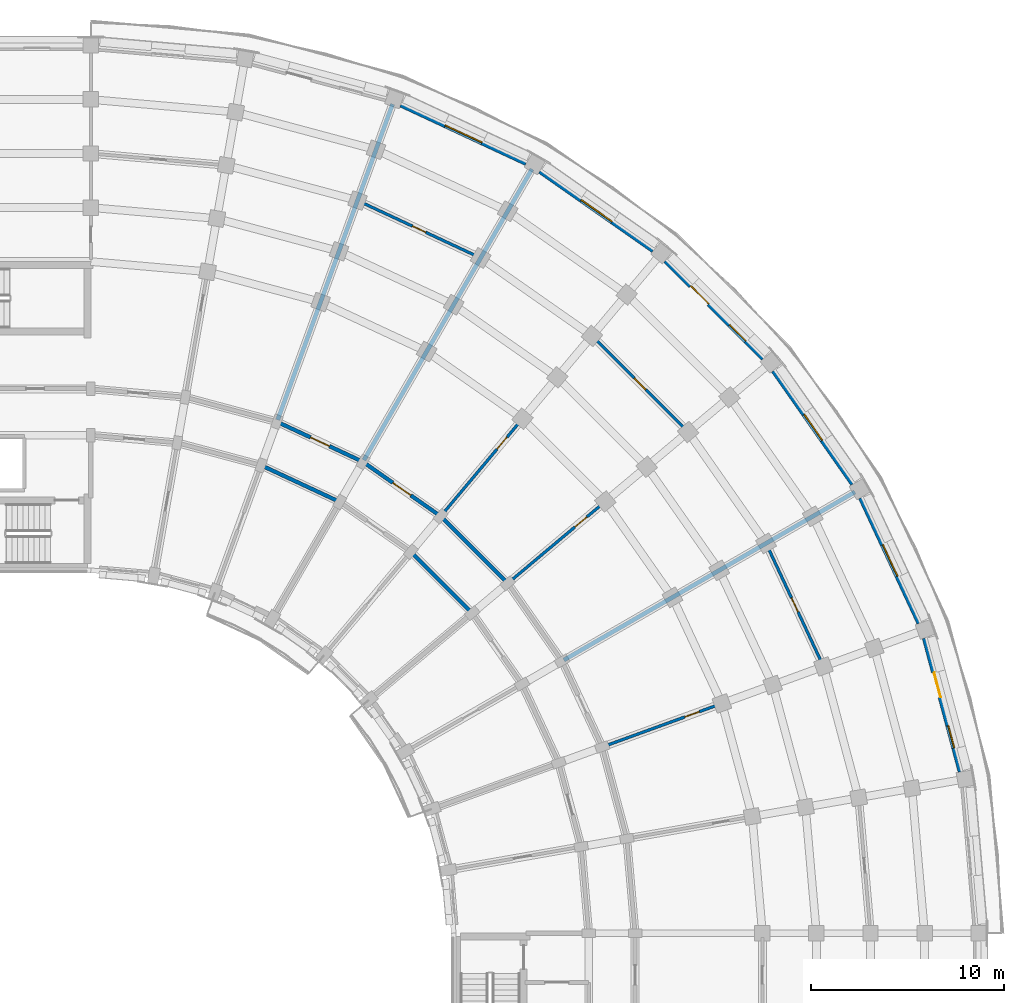
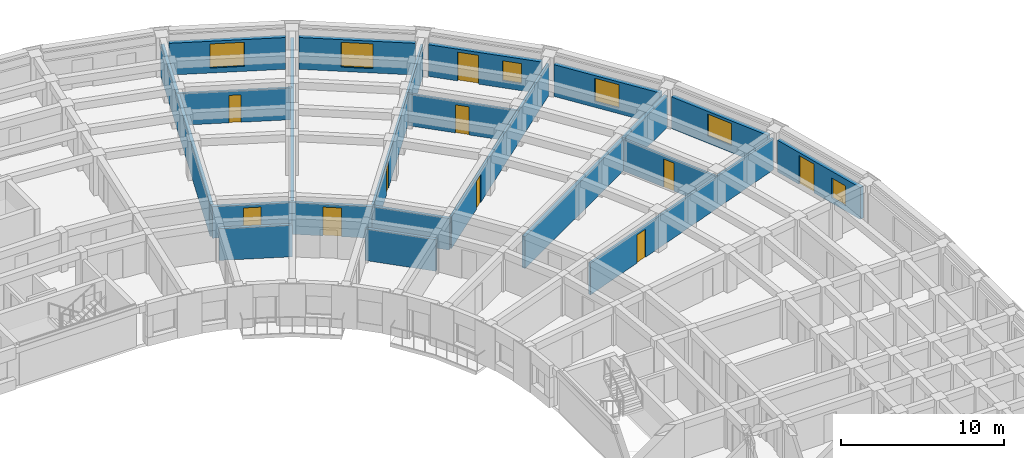
# One storey, part 34 of 54: 20 walls, 10 doors, 6 windows, 16 openings.
"""IFC4 building model written with IfcOpenShell, lengths in metres."""

import ifcopenshell
import ifcopenshell.guid

model = None  # the IFC model being written
_history = None  # IfcOwnerHistory: only IFC2X3 demands one
_inside = {}  # id of a spatial element -> (the spatial element, [elements in it])
_under = {}  # id of a project, library or spatial element -> (it, [spatial elements below it])
_declared = {}  # id of a project -> (the project, [libraries it declares])
_typed = {}  # id of a type object -> (the type object, [elements of that type])
_made_of = {}  # id of a material, layer set ... -> (it, [elements and type objects made of it])


def new_model(schema):
    """Start an empty IFC model of exactly this schema.

    Asked for "IFC4X3", IfcOpenShell would pick the latest addendum, in which some entities
    have other attributes; the version numbers below select the first issue.
    IFC2X3 requires an IfcOwnerHistory on every rooted entity: one is made here for all.
    """
    global model, _history
    if schema == "IFC4X3":
        model = ifcopenshell.file(schema_version=(4, 3, 0, 0))
    else:
        model = ifcopenshell.file(schema=schema)
    _inside.clear()
    _under.clear()
    _declared.clear()
    _typed.clear()
    _made_of.clear()
    _history = None
    if model.schema == "IFC2X3":
        org = make("IfcOrganization", Name="unknown")
        user = make(
            "IfcPersonAndOrganization",
            ThePerson=make("IfcPerson", FamilyName="unknown"),
            TheOrganization=org,
        )
        app = make(
            "IfcApplication",
            ApplicationDeveloper=org,
            Version="unknown",
            ApplicationFullName="unknown",
            ApplicationIdentifier="unknown",
        )
        _history = make(
            "IfcOwnerHistory",
            OwningUser=user,
            OwningApplication=app,
            ChangeAction="ADDED",
            CreationDate=0,
        )
    return model


def make(cls, **values):
    """One entity of the class cls with the attributes given. An attribute that is None is left unset."""
    return model.create_entity(
        cls, **{name: value for name, value in values.items() if value is not None}
    )


def rooted(cls, **values):
    """An entity with a GlobalId (a new one), such as an element, a storey or a relation."""
    return make(cls, GlobalId=ifcopenshell.guid.new(), OwnerHistory=_history, **values)


def si_unit(unit_type, name, prefix=None):
    """IfcSIUnit, for example si_unit("LENGTHUNIT", "METRE", prefix="MILLI")."""
    return make("IfcSIUnit", UnitType=unit_type, Prefix=prefix, Name=name)


def assignment(units):
    """IfcUnitAssignment: the units of a project."""
    return None if units is None else make("IfcUnitAssignment", Units=units)


def point(xyz):
    """IfcCartesianPoint."""
    return None if xyz is None else make("IfcCartesianPoint", Coordinates=xyz)


def direction(xyz):
    """IfcDirection."""
    return None if xyz is None else make("IfcDirection", DirectionRatios=xyz)


def frame(location, z_axis=None, x_axis=None):
    """IfcAxis2Placement3D, a coordinate frame: its origin and axes. An axis left out is left unset."""
    return make(
        "IfcAxis2Placement3D",
        Location=point(location),
        Axis=direction(z_axis),
        RefDirection=direction(x_axis),
    )


def frame_2d(location, x_axis=None):
    """IfcAxis2Placement2D, a coordinate frame in the plane: its origin and x axis."""
    return make(
        "IfcAxis2Placement2D", Location=point(location), RefDirection=direction(x_axis)
    )


def origin():
    """The frame at (0, 0, 0) with its axes left unset."""
    return frame((0.0, 0.0, 0.0))


def place(relative_to, where):
    """IfcLocalPlacement: puts the frame where relative to a parent placement (None: the world)."""
    return make(
        "IfcLocalPlacement", PlacementRelTo=relative_to, RelativePlacement=where
    )


def context(
    kind, dimensions, precision=None, world=None, true_north=None, identifier=None
):
    """IfcGeometricRepresentationContext, for example the 3D "Model" context."""
    return make(
        "IfcGeometricRepresentationContext",
        ContextIdentifier=identifier,
        ContextType=kind,
        CoordinateSpaceDimension=dimensions,
        Precision=precision,
        WorldCoordinateSystem=world,
        TrueNorth=true_north,
    )


def subcontext(parent, identifier, kind, view, scale=None):
    """IfcGeometricRepresentationSubContext, for example "Body" below "Model"."""
    return make(
        "IfcGeometricRepresentationSubContext",
        ContextIdentifier=identifier,
        ContextType=kind,
        ParentContext=parent,
        TargetScale=scale,
        TargetView=view,
    )


def project(units=None, contexts=None):
    """IfcProject with its units and contexts."""
    return rooted(
        "IfcProject",
        Name="project",
        RepresentationContexts=contexts,
        UnitsInContext=assignment(units),
    )


def spatial(cls, under=None, at=None, **own):
    """A site, building, storey or space (cls), placed at a placement, below another one or the project."""
    s = rooted(cls, ObjectPlacement=at, **own)
    if under is not None:
        _under.setdefault(under.id(), (under, []))[1].append(s)
    return s


def profile(cls, at=None, kind="AREA", **sizes):
    """A parametric profile (cls). Its sizes go by their IFC names, for example OverallWidth=200.0."""
    return make(cls, ProfileType=kind, Position=at, **sizes)


def rectangle(**sizes):
    """IfcRectangleProfileDef."""
    return profile("IfcRectangleProfileDef", **sizes)


def extrude(swept, where, along, depth):
    """IfcExtrudedAreaSolid: the profile swept, set in the frame where, extruded along a direction by depth."""
    return make(
        "IfcExtrudedAreaSolid",
        SweptArea=swept,
        Position=where,
        ExtrudedDirection=direction(along),
        Depth=depth,
    )


def shape(context_of_items, identifier, shape_type, items):
    """IfcShapeRepresentation: the items that make up one representation, for example the "Body"."""
    return make(
        "IfcShapeRepresentation",
        ContextOfItems=context_of_items,
        RepresentationIdentifier=identifier,
        RepresentationType=shape_type,
        Items=items,
    )


def material(Name=None, Category=None):
    """IfcMaterial."""
    return make("IfcMaterial", Name=Name, Category=Category)


def layer(
    of_material, thickness, ventilated=None, Name=None, Category=None, Priority=None
):
    """IfcMaterialLayer: one layer of a wall or slab, of a material (None: an air gap)."""
    return make(
        "IfcMaterialLayer",
        Material=of_material,
        LayerThickness=thickness,
        IsVentilated=ventilated,
        Name=Name,
        Category=Category,
        Priority=Priority,
    )


def layer_set(layers, Name=None):
    """IfcMaterialLayerSet."""
    return make("IfcMaterialLayerSet", MaterialLayers=layers, LayerSetName=Name)


def made_of(thing, what):
    """Note that an element or type object is made of a material, layer set ...; save() writes the relation."""
    if what is not None:
        _made_of.setdefault(what.id(), (what, []))[1].append(thing)
    return thing


def type_object(cls, material=None, **own):
    """A type object (cls), such as IfcWallType, which elements share."""
    return made_of(rooted(cls, **own), material)


def element(
    cls,
    number,
    at=None,
    inside=None,
    cuts=None,
    type_object=None,
    material=None,
    context=None,
    identifier="Body",
    shape_type=None,
    held_by="IfcProductDefinitionShape",
    body=None,
    shapes=None,
    **own,
):
    """One element of the class cls, such as IfcWall. Its Tag is "e" and its number.

    at: its placement. inside: the storey or other place that contains it. cuts: it is an
    opening in that element (IfcRelVoidsElement). A single representation is given by context,
    identifier, shape_type and body (its items); several are given by shapes. held_by: the class
    of the entity that holds the representations. save() writes the other relations.
    """
    e = rooted(cls, Tag="e%d" % number, ObjectPlacement=at, **own)
    if body is not None:
        shapes = [shape(context, identifier, shape_type, body)]
    if shapes is not None:
        e.Representation = make(held_by, Representations=shapes)
    if inside is not None:
        _inside.setdefault(inside.id(), (inside, []))[1].append(e)
    if cuts is not None:
        rooted(
            "IfcRelVoidsElement", RelatingBuildingElement=cuts, RelatedOpeningElement=e
        )
    if type_object is not None:
        _typed.setdefault(type_object.id(), (type_object, []))[1].append(e)
    return made_of(e, material)


def fill(opening, filler):
    """IfcRelFillsElement: the door or window that sits in an opening."""
    return rooted(
        "IfcRelFillsElement",
        RelatingOpeningElement=opening,
        RelatedBuildingElement=filler,
    )


def aggregate(whole, parts):
    """IfcRelAggregates: a whole, such as a stair, and the parts it consists of."""
    return rooted("IfcRelAggregates", RelatingObject=whole, RelatedObjects=parts)


def save(model, path):
    """Write the relations noted so far, then the file.

    IfcRelAggregates (storeys below a building ...), IfcRelContainedInSpatialStructure (elements
    in a storey), IfcRelDefinesByType, IfcRelAssociatesMaterial and IfcRelDeclares: one each for
    every whole, place, type object, material and project.
    """
    for whole, parts in _under.values():
        aggregate(whole, parts)
    for where, things in _inside.values():
        rooted(
            "IfcRelContainedInSpatialStructure",
            RelatedElements=things,
            RelatingStructure=where,
        )
    for kind, things in _typed.values():
        rooted("IfcRelDefinesByType", RelatedObjects=things, RelatingType=kind)
    for what, things in _made_of.values():
        rooted("IfcRelAssociatesMaterial", RelatedObjects=things, RelatingMaterial=what)
    for by, libraries in _declared.values():
        rooted("IfcRelDeclares", RelatingContext=by, RelatedDefinitions=libraries)
    model.write(path)


model = new_model("IFC4")

# Units and contexts
model_context = context("Model", 3, precision=1e-05, world=origin(), true_north=direction((0.0, 1.0)))
body_context = subcontext(model_context, "Body", "Model", "MODEL_VIEW")
ifc_project = project(units=[si_unit("LENGTHUNIT", "METRE"), si_unit("AREAUNIT", "SQUARE_METRE"), si_unit("VOLUMEUNIT", "CUBIC_METRE"), si_unit("PLANEANGLEUNIT", "RADIAN"), si_unit("MASSUNIT", "GRAM", prefix="KILO")], contexts=[model_context])

# Site, building, storey
site_placement = place(None, origin())
site = spatial("IfcSite", under=ifc_project, at=site_placement, CompositionType="ELEMENT")
building_placement = place(site_placement, origin())
building = spatial("IfcBuilding", under=site, at=building_placement, Name="Kiranvali Square Residences", CompositionType="ELEMENT")
storey_placement = place(building_placement, frame((0.0, 0.0, 11.85009765625)))
storey = spatial("IfcBuildingStorey", under=building, at=storey_placement, Name="L03", CompositionType="ELEMENT", Elevation=11.85009765625)

# Wall
ifc_material_1 = material(Name="Autoclaved aerated concrete blockwork masonry", Category="masonry")
ifc_layer_1 = layer(ifc_material_1, 0.199951171875)
ifc_layer_set_1 = layer_set([ifc_layer_1], Name="Autoclaved aerated concrete blockwork masonry")
wall_type_1 = type_object("IfcWallType", Name="WL-COR-200", PredefinedType="STANDARD", material=ifc_layer_set_1)
wall_1_placement = place(storey_placement, frame((128.6240234375, 112.044189453125, 0.0), z_axis=(0.0, 0.0, 1.0), x_axis=(0.906307919131, -0.422617978463, 0.0)))
element("IfcWall", 1, at=wall_1_placement, inside=storey, type_object=wall_type_1, Name="L03 architectural wall WL-L03-B-CCI-2", PredefinedType="STANDARD", context=body_context, shape_type="SweptSolid", body=[
    extrude(rectangle(XDim=4.497314453125, YDim=0.199951171875, at=frame_2d((2.24853515625, 0.0))), origin(), (0.0, 0.0, 1.0), 2.371826171875),
])

# Wall, opening, door
wall_2_placement = place(storey_placement, frame((129.445068359375, 114.29931640625, 0.0), z_axis=(0.0, 0.0, 1.0), x_axis=(0.906302381024, -0.422629854778, 0.0)))
wall_2 = element("IfcWall", 2, at=wall_2_placement, inside=storey, type_object=wall_type_1, Name="L03 architectural wall WL-L03-B-CCO-2", PredefinedType="STANDARD", context=body_context, shape_type="SweptSolid", body=[
    extrude(rectangle(XDim=4.915283203125, YDim=0.199951171875, at=frame_2d((2.45751953125, 0.0))), origin(), (0.0, 0.0, 1.0), 2.371826171875),
])
opening_1_placement = place(wall_2_placement, frame((1.917724609375, 0.0, 0.0)))
opening_1 = element("IfcOpeningElement", 3, at=opening_1_placement, cuts=wall_2, Name="Opening FD-APT-60C", PredefinedType="OPENING", context=body_context, shape_type="SweptSolid", body=[
    extrude(rectangle(XDim=1.080078125, YDim=2.14990234375, at=frame_2d((0.5400390625, 1.074951171875))), frame((0.0, 0.10986328125, 0.0), z_axis=(0.0, -1.0, 0.0), x_axis=(1.0, 0.0, 0.0)), (0.0, 0.0, 1.0), 0.219970703125),
])
ifc_material_2 = material(Name="Fire-rated acoustic hardwood and mineral-core door assembly", Category="wood")
door_type_1 = type_object("IfcDoorType", Name="DR-APT-1080", OperationType="NOTDEFINED", PredefinedType="DOOR", material=ifc_material_2)
door_1_placement = place(opening_1_placement, frame((1.080078125, 0.0, 0.0), z_axis=(0.0, 0.0, 1.0), x_axis=(-1.0, 0.0, 0.0)))
door_1 = element("IfcDoor", 4, at=door_1_placement, inside=storey, type_object=door_type_1, Name="L03 door DR-L03-1168 (DR-APT-1080)", OperationType="SINGLE_SWING_RIGHT", OverallHeight=2.14990234375, OverallWidth=1.080078125, PredefinedType="DOOR", context=body_context, shape_type="SweptSolid", body=[
    extrude(rectangle(XDim=1.080078125, YDim=2.14990234375, at=frame_2d((0.5400390625, 1.074951171875))), frame((0.0, 0.02490234375, 0.0), z_axis=(0.0, -1.0, 0.0), x_axis=(1.0, 0.0, 0.0)), (0.0, 0.0, 1.0), 0.050048828125),
])
fill(opening_1, door_1)

wall_3_placement = place(storey_placement, frame((133.89990234375, 112.221923828125, 0.0), z_axis=(0.0, 0.0, 1.0), x_axis=(0.819140911474, -0.573592335331, 0.0)))
wall_3 = element("IfcWall", 5, at=wall_3_placement, inside=storey, type_object=wall_type_1, Name="L03 architectural wall WL-L03-B-CCO-3", PredefinedType="STANDARD", context=body_context, shape_type="SweptSolid", body=[
    extrude(rectangle(XDim=4.915771484375, YDim=0.199951171875, at=frame_2d((2.4580078125, 0.0))), origin(), (0.0, 0.0, 1.0), 2.371826171875),
])
opening_2_placement = place(wall_3_placement, frame((1.8876953125, 0.0, 0.0)))
opening_2 = element("IfcOpeningElement", 6, at=opening_2_placement, cuts=wall_3, Name="Opening FD-APT-60D", PredefinedType="OPENING", context=body_context, shape_type="SweptSolid", body=[
    extrude(rectangle(XDim=1.139892578125, YDim=2.14990234375, at=frame_2d((0.56982421875, 1.074951171875))), frame((0.0, 0.10986328125, 0.0), z_axis=(0.0, -1.0, 0.0), x_axis=(1.0, 0.0, 0.0)), (0.0, 0.0, 1.0), 0.219970703125),
])
door_type_2 = type_object("IfcDoorType", Name="DR-APT-1140", OperationType="NOTDEFINED", PredefinedType="DOOR", material=ifc_material_2)
door_2_placement = place(opening_2_placement, frame((1.139892578125, 0.0, 0.0), z_axis=(0.0, 0.0, 1.0), x_axis=(-1.0, 0.0, 0.0)))
door_2 = element("IfcDoor", 7, at=door_2_placement, inside=storey, type_object=door_type_2, Name="L03 door DR-L03-1170 (DR-APT-1140)", OperationType="SINGLE_SWING_RIGHT", OverallHeight=2.14990234375, OverallWidth=1.139892578125, PredefinedType="DOOR", context=body_context, shape_type="SweptSolid", body=[
    extrude(rectangle(XDim=1.139892578125, YDim=2.14990234375, at=frame_2d((0.56982421875, 1.074951171875))), frame((0.0, 0.02490234375, 0.0), z_axis=(0.0, -1.0, 0.0), x_axis=(1.0, 0.0, 0.0)), (0.0, 0.0, 1.0), 0.050048828125),
])
fill(opening_2, door_2)

# Walls
wall_4_placement = place(storey_placement, frame((136.384033203125, 107.56396484375, 0.0), z_axis=(0.0, 0.0, 1.0), x_axis=(0.707106781187, -0.707106781187, 0.0)))
element("IfcWall", 8, at=wall_4_placement, inside=storey, type_object=wall_type_1, Name="L03 architectural wall WL-L03-B-CCI-4", PredefinedType="STANDARD", context=body_context, shape_type="SweptSolid", body=[
    extrude(rectangle(XDim=4.4970703125, YDim=0.199951171875, at=frame_2d((2.24853515625, 0.0))), origin(), (0.0, 0.0, 1.0), 2.371826171875),
])
wall_5_placement = place(storey_placement, frame((137.926513671875, 109.40234375, 0.0), z_axis=(0.0, 0.0, 1.0), x_axis=(0.707106781187, -0.707106781187, 0.0)))
element("IfcWall", 9, at=wall_5_placement, inside=storey, type_object=wall_type_1, Name="L03 architectural wall WL-L03-B-CCO-4", PredefinedType="STANDARD", context=body_context, shape_type="SweptSolid", body=[
    extrude(rectangle(XDim=4.91552734375, YDim=0.199951171875, at=frame_2d((2.457763671875, 0.0))), origin(), (0.0, 0.0, 1.0), 2.371826171875),
])
ifc_layer_2 = layer(ifc_material_1, 0.22998046875)
ifc_layer_set_2 = layer_set([ifc_layer_2], Name="Autoclaved aerated concrete blockwork masonry")
wall_type_2 = type_object("IfcWallType", Name="WL-DEM-230", PredefinedType="STANDARD", material=ifc_layer_set_2)
for number, where, z_axis, x_axis, name in (
    (10, (129.479248046875, 114.393310546875, 0.0), (0.0, 0.0, 1.0), (0.342022120477, 0.939691901159, 0.0), "L03 architectural wall WL-L03-B-RADO-2"),
    (11, (133.949951171875, 112.30859375, 0.0), (0.0, 0.0, 1.0), (0.499997843263, 0.866026648973, 0.0), "L03 architectural wall WL-L03-B-RADO-3"),
    (12, (144.30859375, 101.949951171875, 0.0), (0.0, 0.0, 1.0), (0.866026648973, 0.499997843263, 0.0), "L03 architectural wall WL-L03-B-RADO-6"),
):
    element("IfcWall", number, at=place(storey_placement, frame(where, z_axis=z_axis, x_axis=x_axis)), inside=storey, type_object=wall_type_2, Name=name, PredefinedType="STANDARD", context=body_context, shape_type="SweptSolid", body=[
        extrude(rectangle(XDim=17.419921875, YDim=0.22998046875, at=frame_2d((8.7099609375, 0.0))), origin(), (0.0, 0.0, 1.0), 2.371826171875),
    ])

# Wall, opening, window
ifc_material_3 = material(Name="Breathable lime-rendered clay brick masonry", Category="masonry")
ifc_layer_3 = layer(ifc_material_3, 0.27490234375)
ifc_layer_set_3 = layer_set([ifc_layer_3], Name="Breathable lime-rendered clay brick masonry")
wall_type_3 = type_object("IfcWallType", Name="WL-EXT-275", PredefinedType="STANDARD", material=ifc_layer_set_3)
wall_6_placement = place(storey_placement, frame((135.8671875, 130.732177734375, 0.0), z_axis=(0.0, 0.0, 1.0), x_axis=(0.906300636296, -0.422633596215, 0.0)))
wall_6 = element("IfcWall", 13, at=wall_6_placement, inside=storey, type_object=wall_type_3, Name="L03 exterior wall B-L03-CRV-02", PredefinedType="STANDARD", context=body_context, shape_type="SweptSolid", body=[
    extrude(rectangle(XDim=7.164306640625, YDim=0.27490234375, at=frame_2d((3.58203125, 0.0))), origin(), (0.0, 0.0, 1.0), 2.371826171875),
])
opening_3_placement = place(wall_6_placement, frame((2.531982421875, 0.0, 0.3720703125)))
opening_3 = element("IfcOpeningElement", 14, at=opening_3_placement, cuts=wall_6, Name="Opening W-03", PredefinedType="OPENING", context=body_context, shape_type="SweptSolid", body=[
    extrude(rectangle(XDim=2.10009765625, YDim=1.800048828125, at=frame_2d((1.050048828125, 0.89990234375))), frame((0.0, 0.1474609375, 0.0), z_axis=(0.0, -1.0, 0.0), x_axis=(1.0, 0.0, 0.0)), (0.0, 0.0, 1.0), 0.294921875),
])
ifc_material_4 = material(Name="Solar-control low-e double glazing", Category="glass")
window_type_1 = type_object("IfcWindowType", Name="WIN-RES-2100x1800", PartitioningType="TRIPLE_PANEL_VERTICAL", PredefinedType="WINDOW", material=ifc_material_4)
window_1_placement = place(opening_3_placement, origin())
window_1 = element("IfcWindow", 15, at=window_1_placement, inside=storey, type_object=window_type_1, Name="L03 recessed window B-L03-CRV-02", OverallHeight=1.800048828125, OverallWidth=2.10009765625, PartitioningType="TRIPLE_PANEL_VERTICAL", PredefinedType="WINDOW", context=body_context, shape_type="SweptSolid", body=[
    extrude(rectangle(XDim=2.10009765625, YDim=1.800048828125, at=frame_2d((1.050048828125, 0.89990234375))), frame((0.0, 0.030029296875, 0.0), z_axis=(0.0, -1.0, 0.0), x_axis=(1.0, 0.0, 0.0)), (0.0, 0.0, 1.0), 0.06005859375),
])
fill(opening_3, window_1)

wall_7_placement = place(storey_placement, frame((143.078125, 127.289794921875, 0.0), z_axis=(0.0, 0.0, 1.0), x_axis=(0.819161471697, -0.573562972382, 0.0)))
wall_7 = element("IfcWall", 16, at=wall_7_placement, inside=storey, type_object=wall_type_3, Name="L03 exterior wall B-L03-CRV-03", PredefinedType="STANDARD", context=body_context, shape_type="SweptSolid", body=[
    extrude(rectangle(XDim=7.164306640625, YDim=0.27490234375, at=frame_2d((3.58203125, 0.0))), origin(), (0.0, 0.0, 1.0), 2.371826171875),
])
opening_4_placement = place(wall_7_placement, frame((2.60693359375, 0.0, 0.322021484375)))
opening_4 = element("IfcOpeningElement", 17, at=opening_4_placement, cuts=wall_7, Name="Opening W-12", PredefinedType="OPENING", context=body_context, shape_type="SweptSolid", body=[
    extrude(rectangle(XDim=1.949951171875, YDim=1.85009765625, at=frame_2d((0.97509765625, 0.925048828125))), frame((0.0, 0.1474609375, 0.0), z_axis=(0.0, -1.0, 0.0), x_axis=(1.0, 0.0, 0.0)), (0.0, 0.0, 1.0), 0.294921875),
])
window_type_2 = type_object("IfcWindowType", Name="WIN-RES-1950x1850", PartitioningType="DOUBLE_PANEL_VERTICAL", PredefinedType="WINDOW", material=ifc_material_4)
window_2_placement = place(opening_4_placement, origin())
window_2 = element("IfcWindow", 18, at=window_2_placement, inside=storey, type_object=window_type_2, Name="L03 recessed window B-L03-CRV-03", OverallHeight=1.85009765625, OverallWidth=1.949951171875, PartitioningType="DOUBLE_PANEL_VERTICAL", PredefinedType="WINDOW", context=body_context, shape_type="SweptSolid", body=[
    extrude(rectangle(XDim=1.949951171875, YDim=1.85009765625, at=frame_2d((0.97509765625, 0.925048828125))), frame((0.0, 0.030029296875, 0.0), z_axis=(0.0, -1.0, 0.0), x_axis=(1.0, 0.0, 0.0)), (0.0, 0.0, 1.0), 0.06005859375),
])
fill(opening_4, window_2)

# Wall, openings, door, window
wall_8_placement = place(storey_placement, frame((149.581787109375, 122.647705078125, 0.0), z_axis=(0.0, 0.0, 1.0), x_axis=(0.707106781187, -0.707106781187, 0.0)))
wall_8 = element("IfcWall", 19, at=wall_8_placement, inside=storey, type_object=wall_type_3, Name="L03 exterior wall B-L03-CRV-04", PredefinedType="STANDARD", context=body_context, shape_type="SweptSolid", body=[
    extrude(rectangle(XDim=7.164306640625, YDim=0.27490234375, at=frame_2d((3.58203125, 0.0))), origin(), (0.0, 0.0, 1.0), 2.371826171875),
])
opening_5_placement = place(wall_8_placement, frame((4.6904296875, 0.0, 0.52197265625)))
opening_5 = element("IfcOpeningElement", 20, at=opening_5_placement, cuts=wall_8, Name="Opening W-06", PredefinedType="OPENING", context=body_context, shape_type="SweptSolid", body=[
    extrude(rectangle(XDim=1.199951171875, YDim=1.5, at=frame_2d((0.60009765625, 0.75))), frame((0.0, 0.1474609375, 0.0), z_axis=(0.0, -1.0, 0.0), x_axis=(1.0, 0.0, 0.0)), (0.0, 0.0, 1.0), 0.294921875),
])
opening_6_placement = place(wall_8_placement, frame((1.847412109375, 0.0, 0.0)))
opening_6 = element("IfcOpeningElement", 21, at=opening_6_placement, cuts=wall_8, Name="Opening ED-BAL-3", PredefinedType="OPENING", context=body_context, shape_type="SweptSolid", body=[
    extrude(rectangle(XDim=1.320068359375, YDim=2.14990234375, at=frame_2d((0.66015625, 1.074951171875))), frame((0.0, 0.1474609375, 0.0), z_axis=(0.0, -1.0, 0.0), x_axis=(1.0, 0.0, 0.0)), (0.0, 0.0, 1.0), 0.294921875),
])
ifc_material_5 = material(Name="Anodised bronze aluminium framing", Category="aluminium")
door_type_3 = type_object("IfcDoorType", Name="DR-BAL-1320", OperationType="NOTDEFINED", PredefinedType="DOOR", material=ifc_material_5)
door_3_placement = place(opening_6_placement, origin())
door_3 = element("IfcDoor", 22, at=door_3_placement, inside=storey, type_object=door_type_3, Name="L03 balcony terrace door", OperationType="SINGLE_SWING_LEFT", OverallHeight=2.14990234375, OverallWidth=1.320068359375, PredefinedType="DOOR", context=body_context, shape_type="SweptSolid", body=[
    extrude(rectangle(XDim=1.320068359375, YDim=2.14990234375, at=frame_2d((0.66015625, 1.074951171875))), frame((0.0, 0.02490234375, 0.0), z_axis=(0.0, -1.0, 0.0), x_axis=(1.0, 0.0, 0.0)), (0.0, 0.0, 1.0), 0.050048828125),
])
fill(opening_6, door_3)
window_type_3 = type_object("IfcWindowType", Name="WIN-RES-1200x1500", PartitioningType="SINGLE_PANEL", PredefinedType="WINDOW", material=ifc_material_4)
window_3_placement = place(opening_5_placement, origin())
window_3 = element("IfcWindow", 23, at=window_3_placement, inside=storey, type_object=window_type_3, Name="L03 recessed window B-L03-CRV-04", OverallHeight=1.5, OverallWidth=1.199951171875, PartitioningType="SINGLE_PANEL", PredefinedType="WINDOW", context=body_context, shape_type="SweptSolid", body=[
    extrude(rectangle(XDim=1.199951171875, YDim=1.5, at=frame_2d((0.60009765625, 0.75))), frame((0.0, 0.030029296875, 0.0), z_axis=(0.0, -1.0, 0.0), x_axis=(1.0, 0.0, 0.0)), (0.0, 0.0, 1.0), 0.06005859375),
])
fill(opening_5, window_3)

# Wall, opening, window
wall_9_placement = place(storey_placement, frame((155.1806640625, 116.94677734375, 0.0), z_axis=(0.0, 0.0, 1.0), x_axis=(0.573562972382, -0.819161471697, 0.0)))
wall_9 = element("IfcWall", 24, at=wall_9_placement, inside=storey, type_object=wall_type_3, Name="L03 exterior wall B-L03-CRV-05", PredefinedType="STANDARD", context=body_context, shape_type="SweptSolid", body=[
    extrude(rectangle(XDim=7.164306640625, YDim=0.27490234375, at=frame_2d((3.58203125, 0.0))), origin(), (0.0, 0.0, 1.0), 2.371826171875),
])
opening_7_placement = place(wall_9_placement, frame((2.757080078125, 0.0, 0.422119140625)))
opening_7 = element("IfcOpeningElement", 25, at=opening_7_placement, cuts=wall_9, Name="Opening W-13", PredefinedType="OPENING", context=body_context, shape_type="SweptSolid", body=[
    extrude(rectangle(XDim=1.64990234375, YDim=1.75, at=frame_2d((0.824951171875, 0.875))), frame((0.0, 0.1474609375, 0.0), z_axis=(0.0, -1.0, 0.0), x_axis=(1.0, 0.0, 0.0)), (0.0, 0.0, 1.0), 0.294921875),
])
window_type_4 = type_object("IfcWindowType", Name="WIN-RES-1650x1750", PartitioningType="DOUBLE_PANEL_VERTICAL", PredefinedType="WINDOW", material=ifc_material_4)
window_4_placement = place(opening_7_placement, origin())
window_4 = element("IfcWindow", 26, at=window_4_placement, inside=storey, type_object=window_type_4, Name="L03 recessed window B-L03-CRV-05", OverallHeight=1.75, OverallWidth=1.64990234375, PartitioningType="DOUBLE_PANEL_VERTICAL", PredefinedType="WINDOW", context=body_context, shape_type="SweptSolid", body=[
    extrude(rectangle(XDim=1.64990234375, YDim=1.75, at=frame_2d((0.824951171875, 0.875))), frame((0.0, 0.030029296875, 0.0), z_axis=(0.0, -1.0, 0.0), x_axis=(1.0, 0.0, 0.0)), (0.0, 0.0, 1.0), 0.06005859375),
])
fill(opening_7, window_4)

wall_10_placement = place(storey_placement, frame((159.704345703125, 110.360107421875, 0.0), z_axis=(0.0, 0.0, 1.0), x_axis=(0.422633596215, -0.906300636296, 0.0)))
wall_10 = element("IfcWall", 27, at=wall_10_placement, inside=storey, type_object=wall_type_3, Name="L03 exterior wall B-L03-CRV-06", PredefinedType="STANDARD", context=body_context, shape_type="SweptSolid", body=[
    extrude(rectangle(XDim=7.164306640625, YDim=0.27490234375, at=frame_2d((3.58203125, 0.0))), origin(), (0.0, 0.0, 1.0), 2.371826171875),
])
opening_8_placement = place(wall_10_placement, frame((2.68212890625, 0.0, 0.52197265625)))
opening_8 = element("IfcOpeningElement", 28, at=opening_8_placement, cuts=wall_10, Name="Opening W-04", PredefinedType="OPENING", context=body_context, shape_type="SweptSolid", body=[
    extrude(rectangle(XDim=1.800048828125, YDim=1.64990234375, at=frame_2d((0.89990234375, 0.824951171875))), frame((0.0, 0.1474609375, 0.0), z_axis=(0.0, -1.0, 0.0), x_axis=(1.0, 0.0, 0.0)), (0.0, 0.0, 1.0), 0.294921875),
])
window_type_5 = type_object("IfcWindowType", Name="WIN-RES-1800x1650", PartitioningType="DOUBLE_PANEL_VERTICAL", PredefinedType="WINDOW", material=ifc_material_4)
window_5_placement = place(opening_8_placement, origin())
window_5 = element("IfcWindow", 29, at=window_5_placement, inside=storey, type_object=window_type_5, Name="L03 recessed window B-L03-CRV-06", OverallHeight=1.64990234375, OverallWidth=1.800048828125, PartitioningType="DOUBLE_PANEL_VERTICAL", PredefinedType="WINDOW", context=body_context, shape_type="SweptSolid", body=[
    extrude(rectangle(XDim=1.800048828125, YDim=1.64990234375, at=frame_2d((0.89990234375, 0.824951171875))), frame((0.0, 0.030029296875, 0.0), z_axis=(0.0, -1.0, 0.0), x_axis=(1.0, 0.0, 0.0)), (0.0, 0.0, 1.0), 0.06005859375),
])
fill(opening_8, window_5)

# Wall, openings, door, window
wall_11_placement = place(storey_placement, frame((163.015625, 103.087890625, 0.0), z_axis=(0.0, 0.0, 1.0), x_axis=(0.258826933296, -0.965923712619, 0.0)))
wall_11 = element("IfcWall", 30, at=wall_11_placement, inside=storey, type_object=wall_type_3, Name="L03 exterior wall B-L03-CRV-07", PredefinedType="STANDARD", context=body_context, shape_type="SweptSolid", body=[
    extrude(rectangle(XDim=7.1640625, YDim=0.27490234375, at=frame_2d((3.58203125, 0.0))), origin(), (0.0, 0.0, 1.0), 2.371826171875),
])
opening_9_placement = place(wall_11_placement, frame((4.6904296875, 0.0, 0.3720703125)))
opening_9 = element("IfcOpeningElement", 31, at=opening_9_placement, cuts=wall_11, Name="Opening W-06", PredefinedType="OPENING", context=body_context, shape_type="SweptSolid", body=[
    extrude(rectangle(XDim=1.199951171875, YDim=1.5, at=frame_2d((0.60009765625, 0.75))), frame((0.0, 0.1474609375, 0.0), z_axis=(0.0, -1.0, 0.0), x_axis=(1.0, 0.0, 0.0)), (0.0, 0.0, 1.0), 0.294921875),
])
opening_10_placement = place(wall_11_placement, frame((1.847412109375, 0.0, 0.0)))
opening_10 = element("IfcOpeningElement", 32, at=opening_10_placement, cuts=wall_11, Name="Opening ED-BAL-3", PredefinedType="OPENING", context=body_context, shape_type="SweptSolid", body=[
    extrude(rectangle(XDim=1.320068359375, YDim=2.14990234375, at=frame_2d((0.66015625, 1.074951171875))), frame((0.0, 0.1474609375, 0.0), z_axis=(0.0, -1.0, 0.0), x_axis=(1.0, 0.0, 0.0)), (0.0, 0.0, 1.0), 0.294921875),
])
door_4_placement = place(opening_10_placement, origin())
door_4 = element("IfcDoor", 33, at=door_4_placement, inside=storey, type_object=door_type_3, Name="L03 balcony terrace door", OperationType="SINGLE_SWING_RIGHT", OverallHeight=2.14990234375, OverallWidth=1.320068359375, PredefinedType="DOOR", context=body_context, shape_type="SweptSolid", body=[
    extrude(rectangle(XDim=1.320068359375, YDim=2.14990234375, at=frame_2d((0.66015625, 1.074951171875))), frame((0.0, 0.02490234375, 0.0), z_axis=(0.0, -1.0, 0.0), x_axis=(1.0, 0.0, 0.0)), (0.0, 0.0, 1.0), 0.050048828125),
])
fill(opening_10, door_4)
window_6_placement = place(opening_9_placement, origin())
window_6 = element("IfcWindow", 34, at=window_6_placement, inside=storey, type_object=window_type_3, Name="L03 recessed window B-L03-CRV-07", OverallHeight=1.5, OverallWidth=1.199951171875, PartitioningType="SINGLE_PANEL", PredefinedType="WINDOW", context=body_context, shape_type="SweptSolid", body=[
    extrude(rectangle(XDim=1.199951171875, YDim=1.5, at=frame_2d((0.60009765625, 0.75))), frame((0.0, 0.030029296875, 0.0), z_axis=(0.0, -1.0, 0.0), x_axis=(1.0, 0.0, 0.0)), (0.0, 0.0, 1.0), 0.06005859375),
])
fill(opening_9, window_6)

# Wall, opening, door
ifc_material_6 = material(Name="Acoustic gypsum board drylined partition", Category="gypsum")
ifc_layer_4 = layer(ifc_material_6, 0.14990234375)
ifc_layer_set_4 = layer_set([ifc_layer_4], Name="Acoustic gypsum board drylined partition")
wall_type_4 = type_object("IfcWallType", Name="WL-PRT-150", PredefinedType="PARTITIONING", material=ifc_layer_set_4)
wall_12_placement = place(storey_placement, frame((137.990966796875, 109.47900390625, 0.0), z_axis=(0.0, 0.0, 1.0), x_axis=(0.642784757967, 0.766046835987, 0.0)))
wall_12 = element("IfcWall", 35, at=wall_12_placement, inside=storey, type_object=wall_type_4, Name="L03 architectural wall WL-L03-B-RADO-4", PredefinedType="PARTITIONING", context=body_context, shape_type="SweptSolid", body=[
    extrude(rectangle(XDim=17.419921875, YDim=0.14990234375, at=frame_2d((8.7099609375, 0.0))), origin(), (0.0, 0.0, 1.0), 2.371826171875),
])
opening_11_placement = place(wall_12_placement, frame((4.44970703125, 0.0, 0.0)))
opening_11 = element("IfcOpeningElement", 36, at=opening_11_placement, cuts=wall_12, Name="Opening ID-WET", PredefinedType="OPENING", context=body_context, shape_type="SweptSolid", body=[
    extrude(rectangle(XDim=0.800048828125, YDim=2.10009765625, at=frame_2d((0.39990234375, 1.050048828125))), frame((0.0, 0.0849609375, 0.0), z_axis=(0.0, -1.0, 0.0), x_axis=(1.0, 0.0, 0.0)), (0.0, 0.0, 1.0), 0.169921875),
])
ifc_material_7 = material(Name="Solid seasoned teak hardwood joinery", Category="wood")
door_type_4 = type_object("IfcDoorType", Name="DR-WET-800", OperationType="NOTDEFINED", PredefinedType="DOOR", material=ifc_material_7)
door_5_placement = place(opening_11_placement, frame((0.800048828125, 0.0, 0.0), z_axis=(0.0, 0.0, 1.0), x_axis=(-1.0, 0.0, 0.0)))
door_5 = element("IfcDoor", 37, at=door_5_placement, inside=storey, type_object=door_type_4, Name="L03 door DR-L03-1160 (DR-WET-800)", OperationType="SINGLE_SWING_RIGHT", OverallHeight=2.10009765625, OverallWidth=0.800048828125, PredefinedType="DOOR", context=body_context, shape_type="SweptSolid", body=[
    extrude(rectangle(XDim=0.800048828125, YDim=2.10009765625, at=frame_2d((0.39990234375, 1.050048828125))), frame((0.0, 0.02490234375, 0.0), z_axis=(0.0, -1.0, 0.0), x_axis=(1.0, 0.0, 0.0)), (0.0, 0.0, 1.0), 0.050048828125),
])
fill(opening_11, door_5)

wall_13_placement = place(storey_placement, frame((141.47900390625, 105.990966796875, 0.0), z_axis=(0.0, 0.0, 1.0), x_axis=(0.766046835987, 0.642784757967, 0.0)))
wall_13 = element("IfcWall", 38, at=wall_13_placement, inside=storey, type_object=wall_type_4, Name="L03 architectural wall WL-L03-B-RADO-5", PredefinedType="PARTITIONING", context=body_context, shape_type="SweptSolid", body=[
    extrude(rectangle(XDim=17.419921875, YDim=0.14990234375, at=frame_2d((8.7099609375, 0.0))), origin(), (0.0, 0.0, 1.0), 2.371826171875),
])
opening_12_placement = place(wall_13_placement, frame((4.44970703125, 0.0, 0.0)))
opening_12 = element("IfcOpeningElement", 39, at=opening_12_placement, cuts=wall_13, Name="Opening ID-WET", PredefinedType="OPENING", context=body_context, shape_type="SweptSolid", body=[
    extrude(rectangle(XDim=0.800048828125, YDim=2.10009765625, at=frame_2d((0.39990234375, 1.050048828125))), frame((0.0, 0.0849609375, 0.0), z_axis=(0.0, -1.0, 0.0), x_axis=(1.0, 0.0, 0.0)), (0.0, 0.0, 1.0), 0.169921875),
])
door_6_placement = place(opening_12_placement, origin())
door_6 = element("IfcDoor", 40, at=door_6_placement, inside=storey, type_object=door_type_4, Name="L03 door DR-L03-1161 (DR-WET-800)", OperationType="SINGLE_SWING_LEFT", OverallHeight=2.10009765625, OverallWidth=0.800048828125, PredefinedType="DOOR", context=body_context, shape_type="SweptSolid", body=[
    extrude(rectangle(XDim=0.800048828125, YDim=2.10009765625, at=frame_2d((0.39990234375, 1.050048828125))), frame((0.0, 0.02490234375, 0.0), z_axis=(0.0, -1.0, 0.0), x_axis=(1.0, 0.0, 0.0)), (0.0, 0.0, 1.0), 0.050048828125),
])
fill(opening_12, door_6)

wall_14_placement = place(storey_placement, frame((146.393310546875, 97.479248046875, 0.0), z_axis=(0.0, 0.0, 1.0), x_axis=(0.939691901159, 0.342022120477, 0.0)))
wall_14 = element("IfcWall", 41, at=wall_14_placement, inside=storey, type_object=wall_type_4, Name="L03 architectural wall WL-L03-B-RADO-7", PredefinedType="PARTITIONING", context=body_context, shape_type="SweptSolid", body=[
    extrude(rectangle(XDim=17.419921875, YDim=0.14990234375, at=frame_2d((8.7099609375, 0.0))), origin(), (0.0, 0.0, 1.0), 2.371826171875),
])
opening_13_placement = place(wall_14_placement, frame((4.44970703125, 0.0, 0.0)))
opening_13 = element("IfcOpeningElement", 42, at=opening_13_placement, cuts=wall_14, Name="Opening ID-WET", PredefinedType="OPENING", context=body_context, shape_type="SweptSolid", body=[
    extrude(rectangle(XDim=0.800048828125, YDim=2.10009765625, at=frame_2d((0.39990234375, 1.050048828125))), frame((0.0, 0.0849609375, 0.0), z_axis=(0.0, -1.0, 0.0), x_axis=(1.0, 0.0, 0.0)), (0.0, 0.0, 1.0), 0.169921875),
])
door_7_placement = place(opening_13_placement, origin())
door_7 = element("IfcDoor", 43, at=door_7_placement, inside=storey, type_object=door_type_4, Name="L03 door DR-L03-1163 (DR-WET-800)", OperationType="SINGLE_SWING_LEFT", OverallHeight=2.10009765625, OverallWidth=0.800048828125, PredefinedType="DOOR", context=body_context, shape_type="SweptSolid", body=[
    extrude(rectangle(XDim=0.800048828125, YDim=2.10009765625, at=frame_2d((0.39990234375, 1.050048828125))), frame((0.0, 0.02490234375, 0.0), z_axis=(0.0, -1.0, 0.0), x_axis=(1.0, 0.0, 0.0)), (0.0, 0.0, 1.0), 0.050048828125),
])
fill(opening_13, door_7)

ifc_layer_5 = layer(ifc_material_1, 0.14990234375)
ifc_layer_set_5 = layer_set([ifc_layer_5], Name="Autoclaved aerated concrete blockwork masonry")
wall_type_5 = type_object("IfcWallType", Name="WL-WET-150", PredefinedType="PLUMBINGWALL", material=ifc_layer_set_5)
wall_15_placement = place(storey_placement, frame((133.61767578125, 125.763671875, 0.0), z_axis=(0.0, 0.0, 1.0), x_axis=(0.906297360311, -0.422640621205, 0.0)))
wall_15 = element("IfcWall", 44, at=wall_15_placement, inside=storey, type_object=wall_type_5, Name="L03 architectural wall WL-L03-B-CWET-2", PredefinedType="PLUMBINGWALL", context=body_context, shape_type="SweptSolid", body=[
    extrude(rectangle(XDim=7.042236328125, YDim=0.14990234375, at=frame_2d((3.52099609375, 0.0))), origin(), (0.0, 0.0, 1.0), 2.371826171875),
])
opening_14_placement = place(wall_15_placement, frame((3.14111328125, 0.0, 0.0)))
opening_14 = element("IfcOpeningElement", 45, at=opening_14_placement, cuts=wall_15, Name="Opening ID-WET0", PredefinedType="OPENING", context=body_context, shape_type="SweptSolid", body=[
    extrude(rectangle(XDim=0.760009765625, YDim=2.050048828125, at=frame_2d((0.3798828125, 1.02490234375))), frame((0.0, 0.0849609375, 0.0), z_axis=(0.0, -1.0, 0.0), x_axis=(1.0, 0.0, 0.0)), (0.0, 0.0, 1.0), 0.169921875),
])
door_type_5 = type_object("IfcDoorType", Name="DR-WET-760", OperationType="NOTDEFINED", PredefinedType="DOOR", material=ifc_material_7)
door_8_placement = place(opening_14_placement, origin())
door_8 = element("IfcDoor", 46, at=door_8_placement, inside=storey, type_object=door_type_5, Name="L03 door DR-L03-1169 (DR-WET-760)", OperationType="SINGLE_SWING_LEFT", OverallHeight=2.050048828125, OverallWidth=0.760009765625, PredefinedType="DOOR", context=body_context, shape_type="SweptSolid", body=[
    extrude(rectangle(XDim=0.760009765625, YDim=2.050048828125, at=frame_2d((0.3798828125, 1.02490234375))), frame((0.0, 0.02490234375, 0.0), z_axis=(0.0, -1.0, 0.0), x_axis=(1.0, 0.0, 0.0)), (0.0, 0.0, 1.0), 0.050048828125),
])
fill(opening_14, door_8)

wall_16_placement = place(storey_placement, frame((145.7685546875, 118.748291015625, 0.0), z_axis=(0.0, 0.0, 1.0), x_axis=(0.707106781187, -0.707106781187, 0.0)))
wall_16 = element("IfcWall", 47, at=wall_16_placement, inside=storey, type_object=wall_type_5, Name="L03 architectural wall WL-L03-B-CWET-4", PredefinedType="PLUMBINGWALL", context=body_context, shape_type="SweptSolid", body=[
    extrude(rectangle(XDim=7.04248046875, YDim=0.14990234375, at=frame_2d((3.521240234375, 0.0))), origin(), (0.0, 0.0, 1.0), 2.371826171875),
])
opening_15_placement = place(wall_16_placement, frame((3.10107421875, 0.0, 0.0)))
opening_15 = element("IfcOpeningElement", 48, at=opening_15_placement, cuts=wall_16, Name="Opening ID-WET2", PredefinedType="OPENING", context=body_context, shape_type="SweptSolid", body=[
    extrude(rectangle(XDim=0.840087890625, YDim=2.10009765625, at=frame_2d((0.419921875, 1.050048828125))), frame((0.0, 0.0849609375, 0.0), z_axis=(0.0, -1.0, 0.0), x_axis=(1.0, 0.0, 0.0)), (0.0, 0.0, 1.0), 0.169921875),
])
door_type_6 = type_object("IfcDoorType", Name="DR-WET-840", OperationType="NOTDEFINED", PredefinedType="DOOR", material=ifc_material_7)
door_9_placement = place(opening_15_placement, origin())
door_9 = element("IfcDoor", 49, at=door_9_placement, inside=storey, type_object=door_type_6, Name="L03 door DR-L03-1171 (DR-WET-840)", OperationType="SINGLE_SWING_LEFT", OverallHeight=2.10009765625, OverallWidth=0.840087890625, PredefinedType="DOOR", context=body_context, shape_type="SweptSolid", body=[
    extrude(rectangle(XDim=0.840087890625, YDim=2.10009765625, at=frame_2d((0.419921875, 1.050048828125))), frame((0.0, 0.02490234375, 0.0), z_axis=(0.0, -1.0, 0.0), x_axis=(1.0, 0.0, 0.0)), (0.0, 0.0, 1.0), 0.050048828125),
])
fill(opening_15, door_9)

wall_17_placement = place(storey_placement, frame((154.787353515625, 108.0, 0.0), z_axis=(0.0, 0.0, 1.0), x_axis=(0.422640621205, -0.906297360311, 0.0)))
wall_17 = element("IfcWall", 50, at=wall_17_placement, inside=storey, type_object=wall_type_5, Name="L03 architectural wall WL-L03-B-CWET-6", PredefinedType="PLUMBINGWALL", context=body_context, shape_type="SweptSolid", body=[
    extrude(rectangle(XDim=7.042236328125, YDim=0.14990234375, at=frame_2d((3.52099609375, 0.0))), origin(), (0.0, 0.0, 1.0), 2.371826171875),
])
opening_16_placement = place(wall_17_placement, frame((3.12109375, 0.0, 0.0)))
opening_16 = element("IfcOpeningElement", 51, at=opening_16_placement, cuts=wall_17, Name="Opening ID-WET", PredefinedType="OPENING", context=body_context, shape_type="SweptSolid", body=[
    extrude(rectangle(XDim=0.800048828125, YDim=2.10009765625, at=frame_2d((0.39990234375, 1.050048828125))), frame((0.0, 0.0849609375, 0.0), z_axis=(0.0, -1.0, 0.0), x_axis=(1.0, 0.0, 0.0)), (0.0, 0.0, 1.0), 0.169921875),
])
door_10_placement = place(opening_16_placement, origin())
door_10 = element("IfcDoor", 52, at=door_10_placement, inside=storey, type_object=door_type_4, Name="L03 door DR-L03-1173 (DR-WET-800)", OperationType="SINGLE_SWING_LEFT", OverallHeight=2.10009765625, OverallWidth=0.800048828125, PredefinedType="DOOR", context=body_context, shape_type="SweptSolid", body=[
    extrude(rectangle(XDim=0.800048828125, YDim=2.10009765625, at=frame_2d((0.39990234375, 1.050048828125))), frame((0.0, 0.02490234375, 0.0), z_axis=(0.0, -1.0, 0.0), x_axis=(1.0, 0.0, 0.0)), (0.0, 0.0, 1.0), 0.050048828125),
])
fill(opening_16, door_10)

save(model, "model.ifc")
